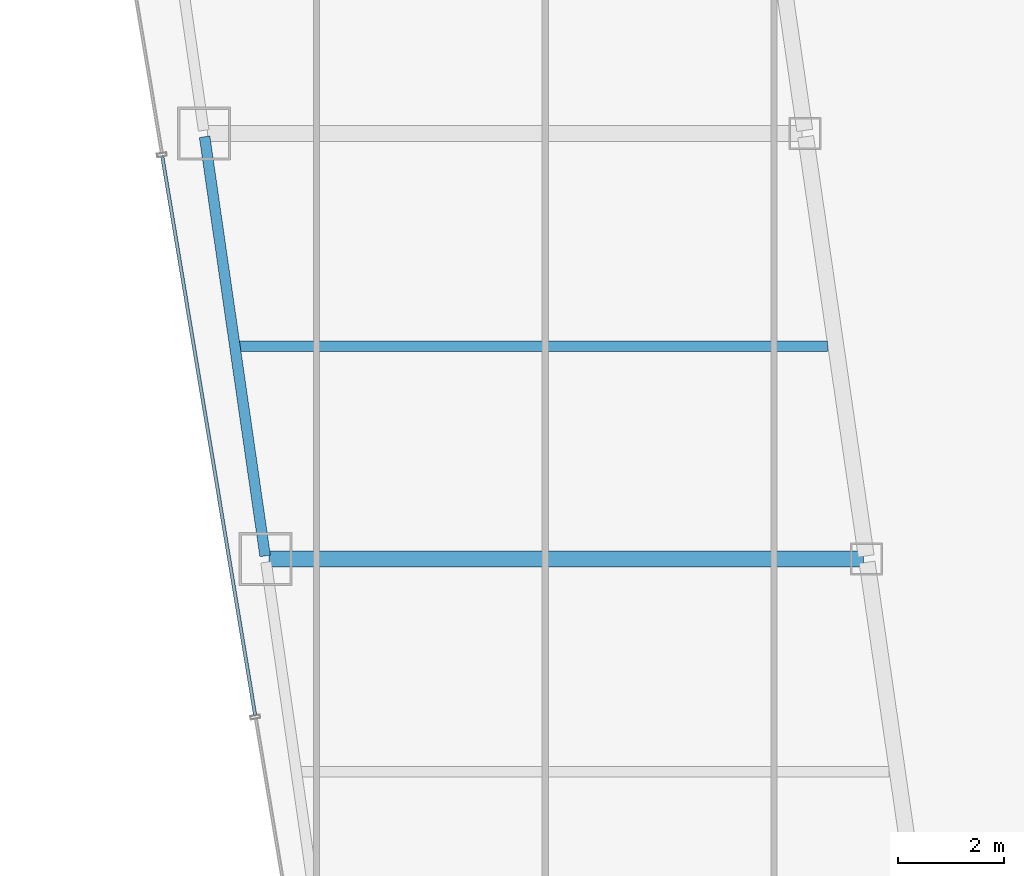
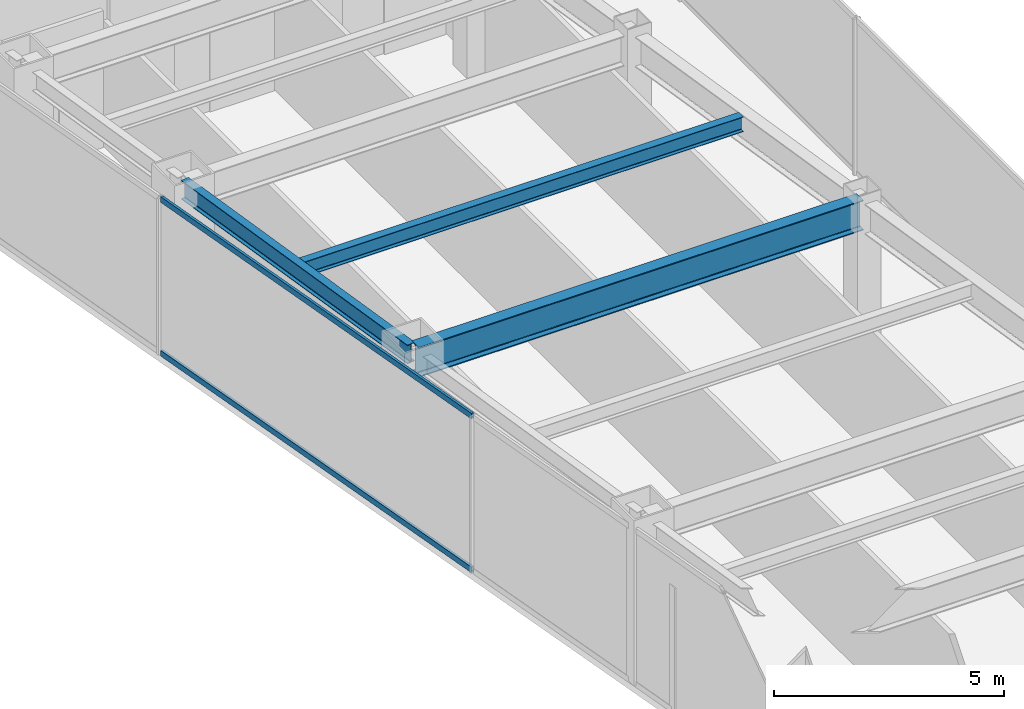
# One storey, part 8 of 37: 3 beams, 2 members, 1 element without a shape of its own.
"""IFC4 building model written with IfcOpenShell, lengths in metres."""

import ifcopenshell
import ifcopenshell.guid

model = None  # the IFC model being written
_history = None  # IfcOwnerHistory: only IFC2X3 demands one
_inside = {}  # id of a spatial element -> (the spatial element, [elements in it])
_under = {}  # id of a project, library or spatial element -> (it, [spatial elements below it])
_declared = {}  # id of a project -> (the project, [libraries it declares])
_typed = {}  # id of a type object -> (the type object, [elements of that type])
_made_of = {}  # id of a material, layer set ... -> (it, [elements and type objects made of it])


def new_model(schema):
    """Start an empty IFC model of exactly this schema.

    Asked for "IFC4X3", IfcOpenShell would pick the latest addendum, in which some entities
    have other attributes; the version numbers below select the first issue.
    IFC2X3 requires an IfcOwnerHistory on every rooted entity: one is made here for all.
    """
    global model, _history
    if schema == "IFC4X3":
        model = ifcopenshell.file(schema_version=(4, 3, 0, 0))
    else:
        model = ifcopenshell.file(schema=schema)
    _inside.clear()
    _under.clear()
    _declared.clear()
    _typed.clear()
    _made_of.clear()
    _history = None
    if model.schema == "IFC2X3":
        org = make("IfcOrganization", Name="unknown")
        user = make(
            "IfcPersonAndOrganization",
            ThePerson=make("IfcPerson", FamilyName="unknown"),
            TheOrganization=org,
        )
        app = make(
            "IfcApplication",
            ApplicationDeveloper=org,
            Version="unknown",
            ApplicationFullName="unknown",
            ApplicationIdentifier="unknown",
        )
        _history = make(
            "IfcOwnerHistory",
            OwningUser=user,
            OwningApplication=app,
            ChangeAction="ADDED",
            CreationDate=0,
        )
    return model


def make(cls, **values):
    """One entity of the class cls with the attributes given. An attribute that is None is left unset."""
    return model.create_entity(
        cls, **{name: value for name, value in values.items() if value is not None}
    )


def rooted(cls, **values):
    """An entity with a GlobalId (a new one), such as an element, a storey or a relation."""
    return make(cls, GlobalId=ifcopenshell.guid.new(), OwnerHistory=_history, **values)


def si_unit(unit_type, name, prefix=None):
    """IfcSIUnit, for example si_unit("LENGTHUNIT", "METRE", prefix="MILLI")."""
    return make("IfcSIUnit", UnitType=unit_type, Prefix=prefix, Name=name)


def assignment(units):
    """IfcUnitAssignment: the units of a project."""
    return None if units is None else make("IfcUnitAssignment", Units=units)


def point(xyz):
    """IfcCartesianPoint."""
    return None if xyz is None else make("IfcCartesianPoint", Coordinates=xyz)


def direction(xyz):
    """IfcDirection."""
    return None if xyz is None else make("IfcDirection", DirectionRatios=xyz)


def frame(location, z_axis=None, x_axis=None):
    """IfcAxis2Placement3D, a coordinate frame: its origin and axes. An axis left out is left unset."""
    return make(
        "IfcAxis2Placement3D",
        Location=point(location),
        Axis=direction(z_axis),
        RefDirection=direction(x_axis),
    )


def frame_2d(location, x_axis=None):
    """IfcAxis2Placement2D, a coordinate frame in the plane: its origin and x axis."""
    return make(
        "IfcAxis2Placement2D", Location=point(location), RefDirection=direction(x_axis)
    )


def origin():
    """The frame at (0, 0, 0) with its axes left unset."""
    return frame((0.0, 0.0, 0.0))


def origin_2d():
    """The frame at (0, 0) in the plane with its x axis left unset."""
    return frame_2d((0.0, 0.0))


def place(relative_to, where):
    """IfcLocalPlacement: puts the frame where relative to a parent placement (None: the world)."""
    return make(
        "IfcLocalPlacement", PlacementRelTo=relative_to, RelativePlacement=where
    )


def context(
    kind, dimensions, precision=None, world=None, true_north=None, identifier=None
):
    """IfcGeometricRepresentationContext, for example the 3D "Model" context."""
    return make(
        "IfcGeometricRepresentationContext",
        ContextIdentifier=identifier,
        ContextType=kind,
        CoordinateSpaceDimension=dimensions,
        Precision=precision,
        WorldCoordinateSystem=world,
        TrueNorth=true_north,
    )


def subcontext(parent, identifier, kind, view, scale=None):
    """IfcGeometricRepresentationSubContext, for example "Body" below "Model"."""
    return make(
        "IfcGeometricRepresentationSubContext",
        ContextIdentifier=identifier,
        ContextType=kind,
        ParentContext=parent,
        TargetScale=scale,
        TargetView=view,
    )


def project(units=None, contexts=None):
    """IfcProject with its units and contexts."""
    return rooted(
        "IfcProject",
        Name="project",
        RepresentationContexts=contexts,
        UnitsInContext=assignment(units),
    )


def spatial(cls, under=None, at=None, **own):
    """A site, building, storey or space (cls), placed at a placement, below another one or the project."""
    s = rooted(cls, ObjectPlacement=at, **own)
    if under is not None:
        _under.setdefault(under.id(), (under, []))[1].append(s)
    return s


def profile(cls, at=None, kind="AREA", **sizes):
    """A parametric profile (cls). Its sizes go by their IFC names, for example OverallWidth=200.0."""
    return make(cls, ProfileType=kind, Position=at, **sizes)


def hollow_rectangle(**sizes):
    """IfcRectangleHollowProfileDef."""
    return profile("IfcRectangleHollowProfileDef", **sizes)


def i_section(**sizes):
    """IfcIShapeProfileDef."""
    return profile("IfcIShapeProfileDef", **sizes)


def extrude(swept, where, along, depth):
    """IfcExtrudedAreaSolid: the profile swept, set in the frame where, extruded along a direction by depth."""
    return make(
        "IfcExtrudedAreaSolid",
        SweptArea=swept,
        Position=where,
        ExtrudedDirection=direction(along),
        Depth=depth,
    )


def shape(context_of_items, identifier, shape_type, items):
    """IfcShapeRepresentation: the items that make up one representation, for example the "Body"."""
    return make(
        "IfcShapeRepresentation",
        ContextOfItems=context_of_items,
        RepresentationIdentifier=identifier,
        RepresentationType=shape_type,
        Items=items,
    )


def material(Name=None, Category=None):
    """IfcMaterial."""
    return make("IfcMaterial", Name=Name, Category=Category)


def material_profile(
    of_material, cross_section, Name=None, Category=None, Priority=None
):
    """IfcMaterialProfile: a cross section and its material."""
    return make(
        "IfcMaterialProfile",
        Name=Name,
        Material=of_material,
        Profile=cross_section,
        Priority=Priority,
        Category=Category,
    )


def profile_set(profiles, Name=None, composite=None):
    """IfcMaterialProfileSet."""
    return make(
        "IfcMaterialProfileSet",
        Name=Name,
        MaterialProfiles=profiles,
        CompositeProfile=composite,
    )


def made_of(thing, what):
    """Note that an element or type object is made of a material, layer set ...; save() writes the relation."""
    if what is not None:
        _made_of.setdefault(what.id(), (what, []))[1].append(thing)
    return thing


def type_object(cls, material=None, **own):
    """A type object (cls), such as IfcWallType, which elements share."""
    return made_of(rooted(cls, **own), material)


def element(
    cls,
    number,
    at=None,
    inside=None,
    cuts=None,
    type_object=None,
    material=None,
    context=None,
    identifier="Body",
    shape_type=None,
    held_by="IfcProductDefinitionShape",
    body=None,
    shapes=None,
    **own,
):
    """One element of the class cls, such as IfcWall. Its Tag is "e" and its number.

    at: its placement. inside: the storey or other place that contains it. cuts: it is an
    opening in that element (IfcRelVoidsElement). A single representation is given by context,
    identifier, shape_type and body (its items); several are given by shapes. held_by: the class
    of the entity that holds the representations. save() writes the other relations.
    """
    e = rooted(cls, Tag="e%d" % number, ObjectPlacement=at, **own)
    if body is not None:
        shapes = [shape(context, identifier, shape_type, body)]
    if shapes is not None:
        e.Representation = make(held_by, Representations=shapes)
    if inside is not None:
        _inside.setdefault(inside.id(), (inside, []))[1].append(e)
    if cuts is not None:
        rooted(
            "IfcRelVoidsElement", RelatingBuildingElement=cuts, RelatedOpeningElement=e
        )
    if type_object is not None:
        _typed.setdefault(type_object.id(), (type_object, []))[1].append(e)
    return made_of(e, material)


def aggregate(whole, parts):
    """IfcRelAggregates: a whole, such as a stair, and the parts it consists of."""
    return rooted("IfcRelAggregates", RelatingObject=whole, RelatedObjects=parts)


def save(model, path):
    """Write the relations noted so far, then the file.

    IfcRelAggregates (storeys below a building ...), IfcRelContainedInSpatialStructure (elements
    in a storey), IfcRelDefinesByType, IfcRelAssociatesMaterial and IfcRelDeclares: one each for
    every whole, place, type object, material and project.
    """
    for whole, parts in _under.values():
        aggregate(whole, parts)
    for where, things in _inside.values():
        rooted(
            "IfcRelContainedInSpatialStructure",
            RelatedElements=things,
            RelatingStructure=where,
        )
    for kind, things in _typed.values():
        rooted("IfcRelDefinesByType", RelatedObjects=things, RelatingType=kind)
    for what, things in _made_of.values():
        rooted("IfcRelAssociatesMaterial", RelatedObjects=things, RelatingMaterial=what)
    for by, libraries in _declared.values():
        rooted("IfcRelDeclares", RelatingContext=by, RelatedDefinitions=libraries)
    model.write(path)


model = new_model("IFC4")

# Units and contexts
model_context = context("Model", 3, precision=1e-05, world=origin(), true_north=direction((0.0, 1.0)))
body_context = subcontext(model_context, "Body", "Model", "MODEL_VIEW")
ifc_project = project(units=[si_unit("LENGTHUNIT", "METRE"), si_unit("AREAUNIT", "SQUARE_METRE"), si_unit("VOLUMEUNIT", "CUBIC_METRE"), si_unit("PLANEANGLEUNIT", "RADIAN"), si_unit("MASSUNIT", "GRAM", prefix="KILO")], contexts=[model_context])

# Site, building, storey
site_placement = place(None, origin())
site = spatial("IfcSite", under=ifc_project, at=site_placement, CompositionType="ELEMENT")
building_placement = place(site_placement, origin())
building = spatial("IfcBuilding", under=site, at=building_placement, Name="Saevonmaru Cultural Tower", CompositionType="ELEMENT")
storey_placement = place(building_placement, frame((0.0, 0.0, 114.800048828125)))
storey = spatial("IfcBuildingStorey", under=building, at=storey_placement, Name="L24", CompositionType="ELEMENT", Elevation=114.800048828125)

# Beams
ifc_material_1 = material(Name="Steel SM420", Category="steel")
ifc_material_profile_1 = material_profile(ifc_material_1, i_section(OverallWidth=0.300048828125, OverallDepth=0.800048828125, WebThickness=0.013916015625, FlangeThickness=0.02587890625, FilletRadius=0.028076171875, at=origin_2d()), Name="H-800x300x14x26")
ifc_profile_set_1 = profile_set([ifc_material_profile_1], Name="Steel SM420")
beam_type_1 = type_object("IfcBeamType", Name="BM-G-H800", PredefinedType="BEAM", material=ifc_profile_set_1)
beam_1_placement = place(storey_placement, frame((9.531982421875, 24.0, 3.75), z_axis=(1.0, 0.0, 0.0), x_axis=(0.0, 1.0, 0.0)))
element("IfcBeam", 1, at=beam_1_placement, inside=storey, type_object=beam_type_1, Name="L24 West Wing Transverse Girder 3", PredefinedType="BEAM", context=body_context, shape_type="SweptSolid", body=[
    extrude(i_section(OverallWidth=0.300048828125, OverallDepth=0.800048828125, WebThickness=0.013916015625, FlangeThickness=0.02587890625, FilletRadius=0.028076171875, at=origin_2d()), origin(), (0.0, 0.0, 1.0), 11.179931640625),
])
ifc_material_2 = material(Name="Steel SM355", Category="steel")
ifc_material_profile_2 = material_profile(ifc_material_2, i_section(OverallWidth=0.199951171875, OverallDepth=0.39990234375, WebThickness=0.008056640625, FlangeThickness=0.012939453125, FilletRadius=0.01611328125, at=origin_2d()), Name="H-400x200x8x13")
ifc_profile_set_2 = profile_set([ifc_material_profile_2], Name="Steel SM355")
beam_type_2 = type_object("IfcBeamType", Name="BM-J-H400", PredefinedType="JOIST", material=ifc_profile_set_2)
beam_2_placement = place(storey_placement, frame((8.95458984375, 28.0, 3.949951171875), z_axis=(1.0, 0.0, 0.0), x_axis=(0.0, 1.0, 0.0)))
element("IfcBeam", 2, at=beam_2_placement, inside=storey, type_object=beam_type_2, Name="L24 West Wing Floor Joist 3", PredefinedType="JOIST", context=body_context, shape_type="SweptSolid", body=[
    extrude(i_section(OverallWidth=0.199951171875, OverallDepth=0.39990234375, WebThickness=0.008056640625, FlangeThickness=0.012939453125, FilletRadius=0.01611328125, at=origin_2d()), origin(), (0.0, 0.0, 1.0), 11.08203125),
])
ifc_material_profile_3 = material_profile(ifc_material_2, i_section(OverallWidth=0.199951171875, OverallDepth=0.5, WebThickness=0.010009765625, FlangeThickness=0.01611328125, FilletRadius=0.02001953125, at=origin_2d()), Name="H-500x200x10x16")
ifc_profile_set_3 = profile_set([ifc_material_profile_3], Name="Steel SM355")
beam_type_3 = type_object("IfcBeamType", Name="BM-SP-H500", PredefinedType="SPANDREL", material=ifc_profile_set_3)
beam_3_placement = place(storey_placement, frame((9.46337890625, 24.059326171875, 3.89990234375), z_axis=(-0.142871999001, 0.989741174197, 0.0), x_axis=(-0.989741174197, -0.142871999001, 0.0)))
element("IfcBeam", 3, at=beam_3_placement, inside=storey, type_object=beam_type_3, Name="L24 West Splayed Spandrel 3", PredefinedType="SPANDREL", context=body_context, shape_type="SweptSolid", body=[
    extrude(i_section(OverallWidth=0.199951171875, OverallDepth=0.5, WebThickness=0.010009765625, FlangeThickness=0.01611328125, FilletRadius=0.02001953125, at=origin_2d()), origin(), (0.0, 0.0, 1.0), 7.963134765625),
])

# Curtain wall, members
ifc_material_3 = material(Name="Satin Bronze Anodised Aluminium", Category="aluminium")
curtain_wall_type = type_object("IfcCurtainWallType", Name="CW-TYP-A", PredefinedType="NOTDEFINED", material=ifc_material_3)
curtain_wall_placement = place(storey_placement, origin())
curtain_wall = element("IfcCurtainWall", 4, at=curtain_wall_placement, inside=storey, type_object=curtain_wall_type, Name="L24 Unitised Curtain Wall E12", PredefinedType="NOTDEFINED")
ifc_material_profile_4 = material_profile(ifc_material_3, hollow_rectangle(XDim=0.06494140625, YDim=0.14990234375, WallThickness=0.00390625, at=origin_2d()), Name="ALU-TRAN-150x65x4")
ifc_profile_set_4 = profile_set([ifc_material_profile_4], Name="Satin Bronze Anodised Aluminium")
member_type = type_object("IfcMemberType", Name="TR-CW-150x65", PredefinedType="USERDEFINED", material=ifc_profile_set_4)
member_1_placement = place(storey_placement, frame((7.52978515625, 31.56787109375, 0.032470703125), z_axis=(0.163993787386, -0.98646137162, 0.0), x_axis=(0.98646137162, 0.163993787386, 0.0)))
member_1 = element("IfcMember", 5, at=member_1_placement, type_object=member_type, Name="CW-TW-L24-E12 transom 3.1", ObjectType="TRANSOM", PredefinedType="USERDEFINED", context=body_context, shape_type="SweptSolid", body=[
    extrude(hollow_rectangle(XDim=0.06494140625, YDim=0.14990234375, WallThickness=0.00390625, at=origin_2d()), origin(), (0.0, 0.0, 1.0), 10.650390625),
])
member_2_placement = place(storey_placement, frame((7.52978515625, 31.56787109375, 4.117431640625), z_axis=(0.163993787386, -0.98646137162, 0.0), x_axis=(0.98646137162, 0.163993787386, 0.0)))
member_2 = element("IfcMember", 6, at=member_2_placement, type_object=member_type, Name="CW-TW-L24-E12 transom 3.2", ObjectType="TRANSOM", PredefinedType="USERDEFINED", context=body_context, shape_type="SweptSolid", body=[
    extrude(hollow_rectangle(XDim=0.06494140625, YDim=0.14990234375, WallThickness=0.00390625, at=origin_2d()), origin(), (0.0, 0.0, 1.0), 10.650390625),
])
aggregate(curtain_wall, [member_1, member_2])

save(model, "model.ifc")
